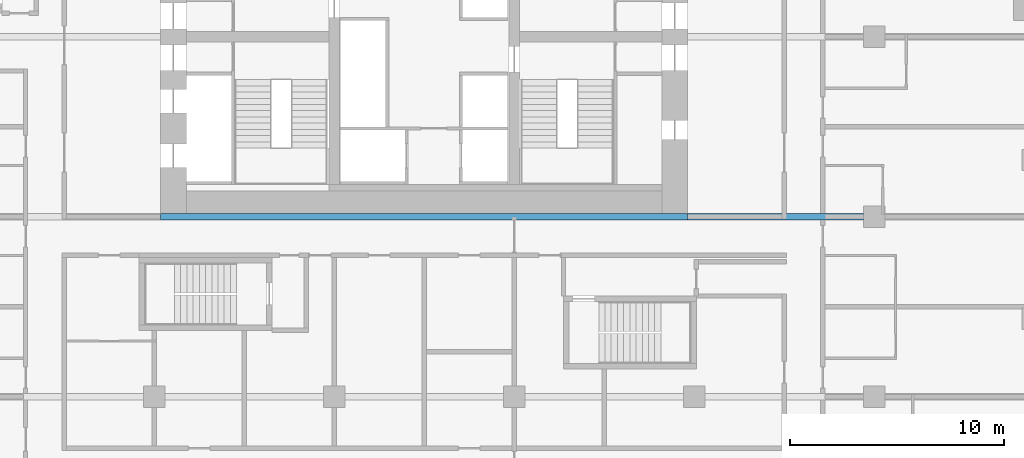
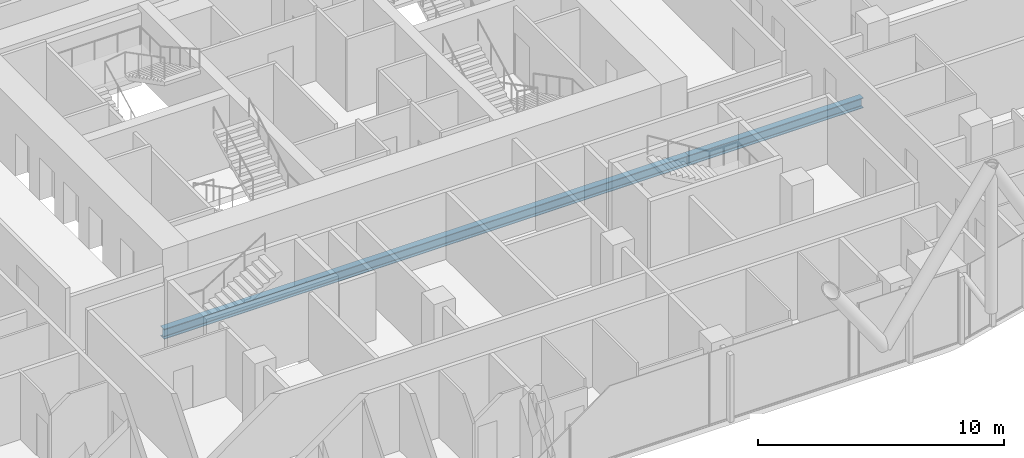
# One storey, part 7 of 38: 2 beams.
"""IFC4 building model written with IfcOpenShell, lengths in metres."""

from ifc_helpers import new_model, si_unit, direction, frame, origin, origin_2d, place, context, subcontext, project, spatial, i_section, extrude, material, material_profile, profile_set, type_object, element, save


model = new_model("IFC4")

# Units and contexts
model_context = context("Model", 3, precision=1e-05, world=origin(), true_north=direction((0.0, 1.0)))
body_context = subcontext(model_context, "Body", "Model", "MODEL_VIEW")
ifc_project = project(units=[si_unit("LENGTHUNIT", "METRE"), si_unit("AREAUNIT", "SQUARE_METRE"), si_unit("VOLUMEUNIT", "CUBIC_METRE"), si_unit("PLANEANGLEUNIT", "RADIAN"), si_unit("MASSUNIT", "GRAM", prefix="KILO")], contexts=[model_context])

# Site, building, storey
site_placement = place(None, origin())
site = spatial("IfcSite", under=ifc_project, at=site_placement, CompositionType="ELEMENT")
building_placement = place(site_placement, origin())
building = spatial("IfcBuilding", under=site, at=building_placement, Name="Marenta Gate Hotel Tower", CompositionType="ELEMENT")
storey_placement = place(building_placement, frame((0.0, 0.0, 54.5)))
storey = spatial("IfcBuildingStorey", under=building, at=storey_placement, Name="L11", CompositionType="ELEMENT", Elevation=54.5)

# Beams
ifc_material = material(Name="Steel S355", Category="steel")
ifc_material_profile = material_profile(ifc_material, i_section(OverallWidth=0.300048828125, OverallDepth=0.5, WebThickness=0.014404296875, FlangeThickness=0.028076171875, FilletRadius=0.027099609375, at=origin_2d()), Name="HEB 500")
ifc_profile_set = profile_set([ifc_material_profile], Name="Steel S355")
beam_type = type_object("IfcBeamType", Name="Girder HEB 500", PredefinedType="BEAM", material=ifc_profile_set)
beam_1_placement = place(storey_placement, frame((-12.300048828125, 0.0, -0.510009765625), z_axis=(1.0, 0.0, 0.0), x_axis=(0.0, 1.0, 0.0)))
element("IfcBeam", 1, at=beam_1_placement, inside=storey, type_object=beam_type, Name="L11-GD-10", PredefinedType="BEAM", context=body_context, shape_type="SweptSolid", body=[
    extrude(i_section(OverallWidth=0.300048828125, OverallDepth=0.5, WebThickness=0.014404296875, FlangeThickness=0.028076171875, FilletRadius=0.027099609375, at=origin_2d()), origin(), (0.0, 0.0, 1.0), 24.60009765625),
])
beam_2_placement = place(storey_placement, frame((12.300048828125, 0.0, -0.510009765625), z_axis=(1.0, 0.0, 0.0), x_axis=(0.0, 1.0, 0.0)))
element("IfcBeam", 2, at=beam_2_placement, inside=storey, type_object=beam_type, Name="L11-GD-11", PredefinedType="BEAM", context=body_context, shape_type="SweptSolid", body=[
    extrude(i_section(OverallWidth=0.300048828125, OverallDepth=0.5, WebThickness=0.014404296875, FlangeThickness=0.028076171875, FilletRadius=0.027099609375, at=origin_2d()), origin(), (0.0, 0.0, 1.0), 8.199951171875),
])

save(model, "model.ifc")
